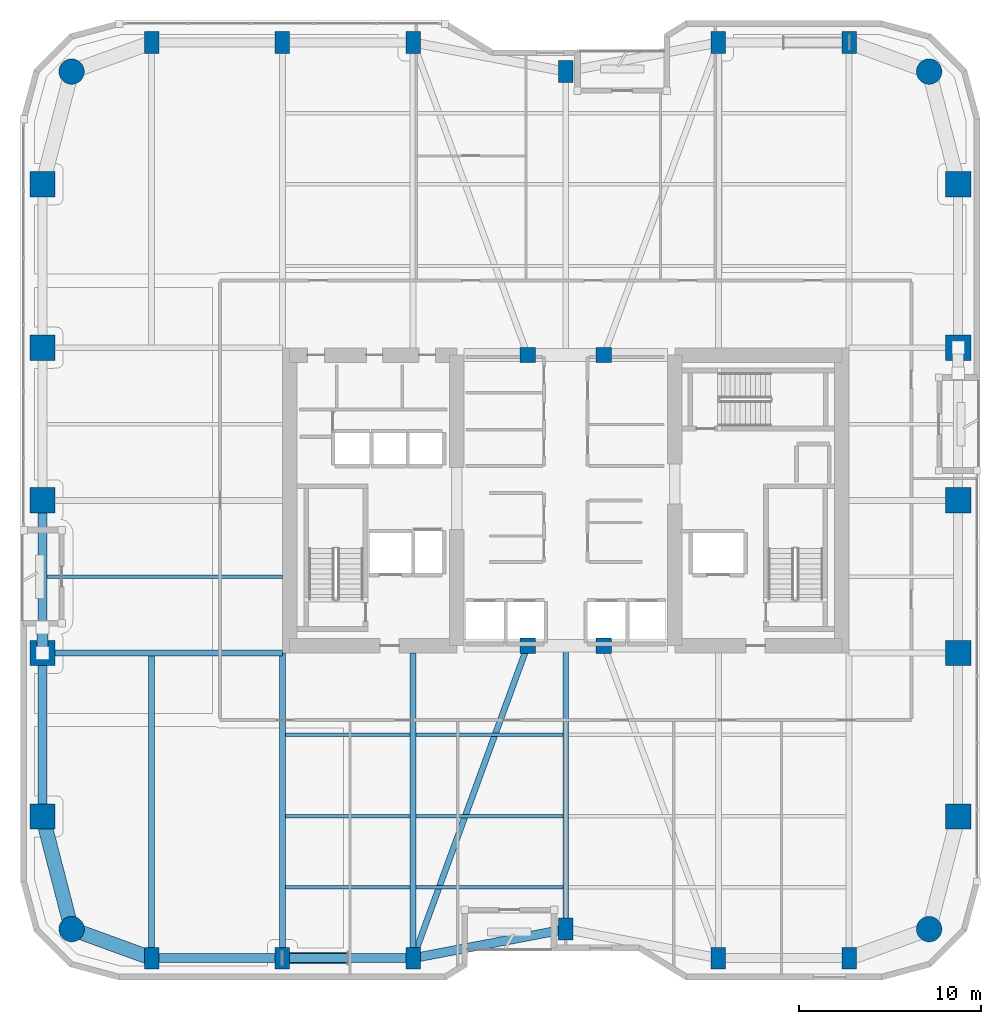
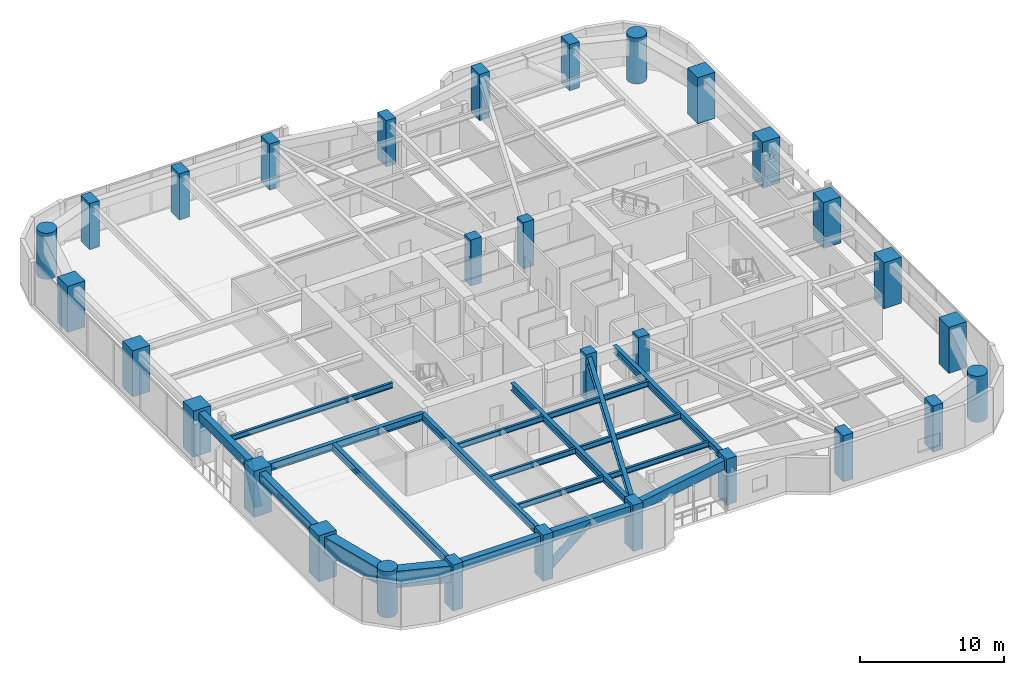
# One storey, part 1 of 24: 30 columns, 20 beams, 2 members.
"""IFC4 building model written with IfcOpenShell, lengths in metres."""

from ifc_helpers import new_model, si_unit, direction, frame, origin, origin_2d, place, context, subcontext, project, spatial, rectangle, circle, hollow_circle, i_section, extrude, material, material_profile, profile_set, type_object, element, save


model = new_model("IFC4")

# Units and contexts
model_context = context("Model", 3, precision=1e-05, world=origin(), true_north=direction((0.0, 1.0)))
body_context = subcontext(model_context, "Body", "Model", "MODEL_VIEW")
ifc_project = project(units=[si_unit("LENGTHUNIT", "METRE"), si_unit("AREAUNIT", "SQUARE_METRE"), si_unit("VOLUMEUNIT", "CUBIC_METRE"), si_unit("PLANEANGLEUNIT", "RADIAN"), si_unit("MASSUNIT", "GRAM", prefix="KILO")], contexts=[model_context])

# Site, building, storey
site_placement = place(None, origin())
site = spatial("IfcSite", under=ifc_project, at=site_placement, CompositionType="ELEMENT")
building_placement = place(site_placement, origin())
building = spatial("IfcBuilding", under=site, at=building_placement, Name="Kiyonajd Concourse Tower", CompositionType="ELEMENT")
storey_placement = place(building_placement, frame((0.0, 0.0, 97.5)))
storey = spatial("IfcBuildingStorey", under=building, at=storey_placement, Name="L25", CompositionType="ELEMENT", Elevation=97.5)

# Columns
ifc_material_1 = material(Name="Concrete C70/85", Category="concrete")
ifc_material_profile_1 = material_profile(ifc_material_1, rectangle(XDim=0.800048828125, YDim=1.199951171875, at=origin_2d()), Name="RC-1200x800")
ifc_profile_set_1 = profile_set([ifc_material_profile_1], Name="Concrete C70/85")
column_type_1 = type_object("IfcColumnType", Name="CL-BLADE-1200", PredefinedType="COLUMN", material=ifc_profile_set_1)
for number, where, z_axis, x_axis, name in (
    (1, (25.199951171875, 10.800048828125, 0.0), (0.0, 0.0, 1.0), (1.0, 0.0, 0.0), "L25 Perimeter Bundled Tube Column"),
    (2, (25.199951171875, 61.199951171875, 0.0), (0.0, 0.0, 1.0), (1.0, 0.0, 0.0), "L25 Perimeter Bundled Tube Column"),
    (3, (32.39990234375, 10.800048828125, 0.0), (0.0, 0.0, 1.0), (1.0, 0.0, 0.0), "L25 Perimeter Bundled Tube Column"),
    (4, (32.39990234375, 61.199951171875, 0.0), (0.0, 0.0, 1.0), (1.0, 0.0, 0.0), "L25 Perimeter Bundled Tube Column"),
    (5, (39.60009765625, 10.800048828125, 0.0), (0.0, 0.0, 1.0), (1.0, 0.0, 0.0), "L25 Perimeter Bundled Tube Column"),
    (6, (39.60009765625, 61.199951171875, 0.0), (0.0, 0.0, 1.0), (1.0, 0.0, 0.0), "L25 Perimeter Bundled Tube Column"),
    (7, (48.0, 12.39990234375, 0.0), (0.0, 0.0, 1.0), (1.0, 0.0, 0.0), "L25 Perimeter Bundled Tube Column"),
    (8, (48.0, 59.60009765625, 0.0), (0.0, 0.0, 1.0), (1.0, 0.0, 0.0), "L25 Perimeter Bundled Tube Column"),
    (9, (56.39990234375, 10.800048828125, 0.0), (0.0, 0.0, 1.0), (1.0, 0.0, 0.0), "L25 Perimeter Bundled Tube Column"),
    (10, (56.39990234375, 61.199951171875, 0.0), (0.0, 0.0, 1.0), (1.0, 0.0, 0.0), "L25 Perimeter Bundled Tube Column"),
    (11, (63.60009765625, 10.800048828125, 0.0), (0.0, 0.0, 1.0), (1.0, 0.0, 0.0), "L25 Perimeter Bundled Tube Column"),
    (12, (63.60009765625, 61.199951171875, 0.0), (0.0, 0.0, 1.0), (1.0, 0.0, 0.0), "L25 Perimeter Bundled Tube Column"),
):
    element("IfcColumn", number, at=place(storey_placement, frame(where, z_axis=z_axis, x_axis=x_axis)), inside=storey, type_object=column_type_1, Name=name, PredefinedType="COLUMN", context=body_context, shape_type="SweptSolid", body=[
        extrude(rectangle(XDim=0.800048828125, YDim=1.199951171875, at=origin_2d()), origin(), (0.0, 0.0, 1.0), 3.89990234375),
    ])
ifc_material_2 = material(Name="Concrete C80/95", Category="concrete")
ifc_material_profile_2 = material_profile(ifc_material_2, circle(Radius=0.699951171875, at=origin_2d()), Name="RCC-D1400")
ifc_profile_set_2 = profile_set([ifc_material_profile_2], Name="Concrete C80/95")
column_type_2 = type_object("IfcColumnType", Name="CL-RND-1400", PredefinedType="COLUMN", material=ifc_profile_set_2)
for number, where, z_axis, x_axis, name in (
    (13, (20.800048828125, 12.39990234375, 0.0), (0.0, 0.0, 1.0), (1.0, 0.0, 0.0), "L25 Bundled Tube Corner Column South West"),
    (14, (68.0, 12.39990234375, 0.0), (0.0, 0.0, 1.0), (1.0, 0.0, 0.0), "L25 Bundled Tube Corner Column South East"),
    (15, (68.0, 59.60009765625, 0.0), (0.0, 0.0, 1.0), (1.0, 0.0, 0.0), "L25 Bundled Tube Corner Column North East"),
    (16, (20.800048828125, 59.60009765625, 0.0), (0.0, 0.0, 1.0), (1.0, 0.0, 0.0), "L25 Bundled Tube Corner Column North West"),
):
    element("IfcColumn", number, at=place(storey_placement, frame(where, z_axis=z_axis, x_axis=x_axis)), inside=storey, type_object=column_type_2, Name=name, PredefinedType="COLUMN", context=body_context, shape_type="SweptSolid", body=[
        extrude(circle(Radius=0.699951171875, at=origin_2d()), origin(), (0.0, 0.0, 1.0), 3.89990234375),
    ])
ifc_material_profile_3 = material_profile(ifc_material_1, rectangle(XDim=1.39990234375, YDim=1.39990234375, at=origin_2d()), Name="RC-1400x1400")
ifc_profile_set_3 = profile_set([ifc_material_profile_3], Name="Concrete C70/85")
column_type_3 = type_object("IfcColumnType", Name="CL-TUBE-1400", PredefinedType="COLUMN", material=ifc_profile_set_3)
for number, where, z_axis, x_axis, name in (
    (17, (19.199951171875, 18.60009765625, 0.0), (0.0, 0.0, 1.0), (1.0, 0.0, 0.0), "L25 Perimeter Bundled Tube Column"),
    (18, (69.60009765625, 18.60009765625, 0.0), (0.0, 0.0, 1.0), (1.0, 0.0, 0.0), "L25 Perimeter Bundled Tube Column"),
    (19, (19.199951171875, 27.60009765625, 0.0), (0.0, 0.0, 1.0), (1.0, 0.0, 0.0), "L25 Perimeter Bundled Tube Column"),
    (20, (69.60009765625, 27.60009765625, 0.0), (0.0, 0.0, 1.0), (1.0, 0.0, 0.0), "L25 Perimeter Bundled Tube Column"),
    (21, (19.199951171875, 36.0, 0.0), (0.0, 0.0, 1.0), (1.0, 0.0, 0.0), "L25 Perimeter Bundled Tube Column"),
    (22, (69.60009765625, 36.0, 0.0), (0.0, 0.0, 1.0), (1.0, 0.0, 0.0), "L25 Perimeter Bundled Tube Column"),
    (23, (19.199951171875, 44.39990234375, 0.0), (0.0, 0.0, 1.0), (1.0, 0.0, 0.0), "L25 Perimeter Bundled Tube Column"),
    (24, (69.60009765625, 44.39990234375, 0.0), (0.0, 0.0, 1.0), (1.0, 0.0, 0.0), "L25 Perimeter Bundled Tube Column"),
    (25, (19.199951171875, 53.39990234375, 0.0), (0.0, 0.0, 1.0), (1.0, 0.0, 0.0), "L25 Perimeter Bundled Tube Column"),
    (26, (69.60009765625, 53.39990234375, 0.0), (0.0, 0.0, 1.0), (1.0, 0.0, 0.0), "L25 Perimeter Bundled Tube Column"),
):
    element("IfcColumn", number, at=place(storey_placement, frame(where, z_axis=z_axis, x_axis=x_axis)), inside=storey, type_object=column_type_3, Name=name, PredefinedType="COLUMN", context=body_context, shape_type="SweptSolid", body=[
        extrude(rectangle(XDim=1.39990234375, YDim=1.39990234375, at=origin_2d()), origin(), (0.0, 0.0, 1.0), 3.89990234375),
    ])
ifc_material_3 = material(Name="Concrete C60/75", Category="concrete")
ifc_material_profile_4 = material_profile(ifc_material_3, rectangle(XDim=0.85009765625, YDim=0.85009765625, at=origin_2d()), Name="RC-850x850")
ifc_profile_set_4 = profile_set([ifc_material_profile_4], Name="Concrete C60/75")
column_type_4 = type_object("IfcColumnType", Name="CL-TUBE-850", PredefinedType="COLUMN", material=ifc_profile_set_4)
for number, where, z_axis, x_axis, name in (
    (27, (45.89990234375, 28.0, 0.0), (0.0, 0.0, 1.0), (1.0, 0.0, 0.0), "L25 Core Tie Column South West"),
    (28, (50.10009765625, 28.0, 0.0), (0.0, 0.0, 1.0), (1.0, 0.0, 0.0), "L25 Core Tie Column South East"),
    (29, (45.89990234375, 44.0, 0.0), (0.0, 0.0, 1.0), (1.0, 0.0, 0.0), "L25 Core Tie Column North West"),
    (30, (50.10009765625, 44.0, 0.0), (0.0, 0.0, 1.0), (1.0, 0.0, 0.0), "L25 Core Tie Column North East"),
):
    element("IfcColumn", number, at=place(storey_placement, frame(where, z_axis=z_axis, x_axis=x_axis)), inside=storey, type_object=column_type_4, Name=name, PredefinedType="COLUMN", context=body_context, shape_type="SweptSolid", body=[
        extrude(rectangle(XDim=0.85009765625, YDim=0.85009765625, at=origin_2d()), origin(), (0.0, 0.0, 1.0), 3.89990234375),
    ])

# Beams
ifc_material_4 = material(Name="Steel ASTM A992 Grade 50", Category="steel")
ifc_material_profile_5 = material_profile(ifc_material_4, i_section(OverallWidth=0.19189453125, OverallDepth=0.462890625, WebThickness=0.010498046875, FlangeThickness=0.017578125, at=origin_2d()), Name="W460X89")
ifc_profile_set_5 = profile_set([ifc_material_profile_5], Name="Steel ASTM A992 Grade 50")
beam_type_1 = type_object("IfcBeamType", Name="BM-JST-460B", PredefinedType="JOIST", material=ifc_profile_set_5)
beam_1_placement = place(storey_placement, frame((32.5634765625, 14.699951171875, 3.408447265625), z_axis=(1.0, 0.0, 0.0), x_axis=(0.0, 1.0, 0.0)))
element("IfcBeam", 31, at=beam_1_placement, inside=storey, type_object=beam_type_1, Name="L25 Secondary Floor Joist", PredefinedType="JOIST", context=body_context, shape_type="SweptSolid", body=[
    extrude(i_section(OverallWidth=0.19189453125, OverallDepth=0.462890625, WebThickness=0.010498046875, FlangeThickness=0.017578125, at=origin_2d()), origin(), (0.0, 0.0, 1.0), 6.873046875),
])
beam_2_placement = place(storey_placement, frame((39.763427734375, 14.699951171875, 3.408447265625), z_axis=(1.0, 0.0, 0.0), x_axis=(0.0, 1.0, 0.0)))
element("IfcBeam", 32, at=beam_2_placement, inside=storey, type_object=beam_type_1, Name="L25 Secondary Floor Joist", PredefinedType="JOIST", context=body_context, shape_type="SweptSolid", body=[
    extrude(i_section(OverallWidth=0.19189453125, OverallDepth=0.462890625, WebThickness=0.010498046875, FlangeThickness=0.017578125, at=origin_2d()), origin(), (0.0, 0.0, 1.0), 8.072998046875),
])
beam_3_placement = place(storey_placement, frame((32.5634765625, 18.60009765625, 3.408447265625), z_axis=(1.0, 0.0, 0.0), x_axis=(0.0, 1.0, 0.0)))
element("IfcBeam", 33, at=beam_3_placement, inside=storey, type_object=beam_type_1, Name="L25 Secondary Floor Joist", PredefinedType="JOIST", context=body_context, shape_type="SweptSolid", body=[
    extrude(i_section(OverallWidth=0.19189453125, OverallDepth=0.462890625, WebThickness=0.010498046875, FlangeThickness=0.017578125, at=origin_2d()), origin(), (0.0, 0.0, 1.0), 6.873046875),
])
beam_4_placement = place(storey_placement, frame((39.763427734375, 18.60009765625, 3.408447265625), z_axis=(1.0, 0.0, 0.0), x_axis=(0.0, 1.0, 0.0)))
element("IfcBeam", 34, at=beam_4_placement, inside=storey, type_object=beam_type_1, Name="L25 Secondary Floor Joist", PredefinedType="JOIST", context=body_context, shape_type="SweptSolid", body=[
    extrude(i_section(OverallWidth=0.19189453125, OverallDepth=0.462890625, WebThickness=0.010498046875, FlangeThickness=0.017578125, at=origin_2d()), origin(), (0.0, 0.0, 1.0), 8.072998046875),
])
beam_5_placement = place(storey_placement, frame((32.5634765625, 23.10009765625, 3.408447265625), z_axis=(1.0, 0.0, 0.0), x_axis=(0.0, 1.0, 0.0)))
element("IfcBeam", 35, at=beam_5_placement, inside=storey, type_object=beam_type_1, Name="L25 Secondary Floor Joist", PredefinedType="JOIST", context=body_context, shape_type="SweptSolid", body=[
    extrude(i_section(OverallWidth=0.19189453125, OverallDepth=0.462890625, WebThickness=0.010498046875, FlangeThickness=0.017578125, at=origin_2d()), origin(), (0.0, 0.0, 1.0), 6.873046875),
])
beam_6_placement = place(storey_placement, frame((39.763427734375, 23.10009765625, 3.408447265625), z_axis=(1.0, 0.0, 0.0), x_axis=(0.0, 1.0, 0.0)))
element("IfcBeam", 36, at=beam_6_placement, inside=storey, type_object=beam_type_1, Name="L25 Secondary Floor Joist", PredefinedType="JOIST", context=body_context, shape_type="SweptSolid", body=[
    extrude(i_section(OverallWidth=0.19189453125, OverallDepth=0.462890625, WebThickness=0.010498046875, FlangeThickness=0.017578125, at=origin_2d()), origin(), (0.0, 0.0, 1.0), 8.072998046875),
])
beam_7_placement = place(storey_placement, frame((19.449951171875, 31.800048828125, 3.408447265625), z_axis=(1.0, 0.0, 0.0), x_axis=(0.0, 1.0, 0.0)))
element("IfcBeam", 37, at=beam_7_placement, inside=storey, type_object=beam_type_1, Name="L25 West Secondary Floor Joist", PredefinedType="JOIST", context=body_context, shape_type="SweptSolid", body=[
    extrude(i_section(OverallWidth=0.19189453125, OverallDepth=0.462890625, WebThickness=0.010498046875, FlangeThickness=0.017578125, at=origin_2d()), origin(), (0.0, 0.0, 1.0), 12.949951171875),
])
ifc_material_5 = material(Name="Precast concrete C50/60", Category="concrete")
ifc_material_profile_6 = material_profile(ifc_material_5, rectangle(XDim=0.5, YDim=0.75, at=origin_2d()), Name="RCBM-500x750")
ifc_profile_set_6 = profile_set([ifc_material_profile_6], Name="Precast concrete C50/60")
beam_type_2 = type_object("IfcBeamType", Name="BM-SPAN-RC", PredefinedType="SPANDREL", material=ifc_profile_set_6)
beam_8_placement = place(storey_placement, frame((19.199951171875, 27.60009765625, 3.264892578125), z_axis=(0.0, -1.0, 0.0), x_axis=(1.0, 0.0, 0.0)))
element("IfcBeam", 38, at=beam_8_placement, inside=storey, type_object=beam_type_2, Name="L25 Perimeter Bundled Tube Spandrel", PredefinedType="SPANDREL", context=body_context, shape_type="SweptSolid", body=[
    extrude(rectangle(XDim=0.5, YDim=0.75, at=origin_2d()), origin(), (0.0, 0.0, 1.0), 9.0),
])
beam_9_placement = place(storey_placement, frame((25.199951171875, 10.800048828125, 3.264892578125), z_axis=(1.0, 0.0, 0.0), x_axis=(0.0, 1.0, 0.0)))
element("IfcBeam", 39, at=beam_9_placement, inside=storey, type_object=beam_type_2, Name="L25 Perimeter Bundled Tube Spandrel", PredefinedType="SPANDREL", context=body_context, shape_type="SweptSolid", body=[
    extrude(rectangle(XDim=0.5, YDim=0.75, at=origin_2d()), origin(), (0.0, 0.0, 1.0), 7.199951171875),
])
beam_10_placement = place(storey_placement, frame((32.39990234375, 10.800048828125, 3.264892578125), z_axis=(1.0, 0.0, 0.0), x_axis=(0.0, 1.0, 0.0)))
element("IfcBeam", 40, at=beam_10_placement, inside=storey, type_object=beam_type_2, Name="L25 Perimeter Bundled Tube Spandrel", PredefinedType="SPANDREL", context=body_context, shape_type="SweptSolid", body=[
    extrude(rectangle(XDim=0.5, YDim=0.75, at=origin_2d()), origin(), (0.0, 0.0, 1.0), 7.2001953125),
])
beam_11_placement = place(storey_placement, frame((39.60009765625, 10.800048828125, 3.264892578125), z_axis=(0.982341315253, 0.187097675953, 0.0), x_axis=(-0.187097675953, 0.982341315253, 0.0)))
element("IfcBeam", 41, at=beam_11_placement, inside=storey, type_object=beam_type_2, Name="L25 Perimeter Bundled Tube Spandrel", PredefinedType="SPANDREL", context=body_context, shape_type="SweptSolid", body=[
    extrude(rectangle(XDim=0.5, YDim=0.75, at=origin_2d()), origin(), (0.0, 0.0, 1.0), 8.55078125),
])
beam_12_placement = place(storey_placement, frame((19.199951171875, 36.0, 3.264892578125), z_axis=(0.0, -1.0, 0.0), x_axis=(1.0, 0.0, 0.0)))
element("IfcBeam", 42, at=beam_12_placement, inside=storey, type_object=beam_type_2, Name="L25 Perimeter Bundled Tube Spandrel", PredefinedType="SPANDREL", context=body_context, shape_type="SweptSolid", body=[
    extrude(rectangle(XDim=0.5, YDim=0.75, at=origin_2d()), origin(), (0.0, 0.0, 1.0), 8.39990234375),
])
ifc_material_profile_7 = material_profile(ifc_material_4, i_section(OverallWidth=0.326904296875, OverallDepth=0.6220703125, WebThickness=0.015380859375, FlangeThickness=0.0244140625, at=origin_2d()), Name="W610X195")
ifc_profile_set_7 = profile_set([ifc_material_profile_7], Name="Steel ASTM A992 Grade 50")
beam_type_3 = type_object("IfcBeamType", Name="BM-TWR-610A", PredefinedType="BEAM", material=ifc_profile_set_7)
beam_13_placement = place(storey_placement, frame((39.60009765625, 10.800048828125, 3.3291015625), z_axis=(0.343925269715, 0.938997022813, 0.0), x_axis=(-0.938997022813, 0.343925269715, 0.0)))
element("IfcBeam", 43, at=beam_13_placement, inside=storey, type_object=beam_type_3, Name="L25 Core Tie Girder", PredefinedType="BEAM", context=body_context, shape_type="SweptSolid", body=[
    extrude(i_section(OverallWidth=0.326904296875, OverallDepth=0.6220703125, WebThickness=0.015380859375, FlangeThickness=0.0244140625, at=origin_2d()), origin(), (0.0, 0.0, 1.0), 18.3173828125),
])
for number, where, z_axis, x_axis, name in (
    (44, (25.199951171875, 10.800048828125, 3.3291015625), (0.0, 1.0, 0.0), (-1.0, 0.0, 0.0), "L25 South Lease Girder"),
    (45, (32.39990234375, 10.800048828125, 3.3291015625), (0.0, 1.0, 0.0), (-1.0, 0.0, 0.0), "L25 South Lease Girder"),
    (46, (39.60009765625, 10.800048828125, 3.3291015625), (0.0, 1.0, 0.0), (-1.0, 0.0, 0.0), "L25 South Lease Girder"),
):
    element("IfcBeam", number, at=place(storey_placement, frame(where, z_axis=z_axis, x_axis=x_axis)), inside=storey, type_object=beam_type_3, Name=name, PredefinedType="BEAM", context=body_context, shape_type="SweptSolid", body=[
        extrude(i_section(OverallWidth=0.326904296875, OverallDepth=0.6220703125, WebThickness=0.015380859375, FlangeThickness=0.0244140625, at=origin_2d()), origin(), (0.0, 0.0, 1.0), 16.800048828125),
    ])
beam_14_placement = place(storey_placement, frame((48.0, 12.39990234375, 3.3291015625), z_axis=(0.0, 1.0, 0.0), x_axis=(-1.0, 0.0, 0.0)))
element("IfcBeam", 47, at=beam_14_placement, inside=storey, type_object=beam_type_3, Name="L25 South Ribbon Girder", PredefinedType="BEAM", context=body_context, shape_type="SweptSolid", body=[
    extrude(i_section(OverallWidth=0.326904296875, OverallDepth=0.6220703125, WebThickness=0.015380859375, FlangeThickness=0.0244140625, at=origin_2d()), origin(), (0.0, 0.0, 1.0), 15.60009765625),
])
beam_15_placement = place(storey_placement, frame((19.199951171875, 27.60009765625, 3.3291015625), z_axis=(1.0, 0.0, 0.0), x_axis=(0.0, 1.0, 0.0)))
element("IfcBeam", 48, at=beam_15_placement, inside=storey, type_object=beam_type_3, Name="L25 West Lease Girder", PredefinedType="BEAM", context=body_context, shape_type="SweptSolid", body=[
    extrude(i_section(OverallWidth=0.326904296875, OverallDepth=0.6220703125, WebThickness=0.015380859375, FlangeThickness=0.0244140625, at=origin_2d()), origin(), (0.0, 0.0, 1.0), 13.199951171875),
])
ifc_material_profile_8 = material_profile(ifc_material_3, rectangle(XDim=0.800048828125, YDim=1.39990234375, at=origin_2d()), Name="RCBM-800x1400")
ifc_profile_set_8 = profile_set([ifc_material_profile_8], Name="Concrete C60/75")
beam_type_4 = type_object("IfcBeamType", Name="BM-XFER-RC", PredefinedType="BEAM", material=ifc_profile_set_8)
beam_16_placement = place(storey_placement, frame((19.199951171875, 18.60009765625, 2.93994140625), z_axis=(0.249884937687, -0.968275538221, 0.0), x_axis=(0.968275538221, 0.249884937687, 0.0)))
element("IfcBeam", 49, at=beam_16_placement, inside=storey, type_object=beam_type_4, Name="L25 Perimeter Bundled Tube Spandrel", PredefinedType="BEAM", context=body_context, shape_type="SweptSolid", body=[
    extrude(rectangle(XDim=0.800048828125, YDim=1.39990234375, at=origin_2d()), origin(), (0.0, 0.0, 1.0), 6.4033203125),
])
beam_17_placement = place(storey_placement, frame((20.800048828125, 12.39990234375, 2.93994140625), z_axis=(0.939801036019, -0.341722127901, 0.0), x_axis=(0.341722127901, 0.939801036019, 0.0)))
element("IfcBeam", 50, at=beam_17_placement, inside=storey, type_object=beam_type_4, Name="L25 Perimeter Bundled Tube Spandrel", PredefinedType="BEAM", context=body_context, shape_type="SweptSolid", body=[
    extrude(rectangle(XDim=0.800048828125, YDim=1.39990234375, at=origin_2d()), origin(), (0.0, 0.0, 1.0), 4.681640625),
])

# Members
ifc_material_6 = material(Name="Steel ASTM A572 Grade 50", Category="steel")
ifc_material_profile_9 = material_profile(ifc_material_6, hollow_circle(Radius=0.304931640625, WallThickness=0.02490234375, at=origin_2d()), Name="CHS-610x25")
ifc_profile_set_9 = profile_set([ifc_material_profile_9], Name="Steel ASTM A572 Grade 50")
member_type = type_object("IfcMemberType", Name="MB-PB-LOW", PredefinedType="BRACE", material=ifc_profile_set_9)
member_1_placement = place(storey_placement, frame((32.39990234375, 10.800048828125, 0.300048828125), z_axis=(0.769280705518, 0.0, 0.638910945373), x_axis=(0.0, 1.0, 0.0)))
element("IfcMember", 51, at=member_1_placement, inside=storey, type_object=member_type, Name="L25 Lower Zone Welded Tube Brace PBS", PredefinedType="BRACE", context=body_context, shape_type="SweptSolid", body=[
    extrude(hollow_circle(Radius=0.304931640625, WallThickness=0.02490234375, at=origin_2d()), origin(), (0.0, 0.0, 1.0), 4.679931640625),
])
member_2_placement = place(storey_placement, frame((19.199951171875, 27.60009765625, 0.300048828125), z_axis=(0.0, 0.424022702926, 0.905651559598), x_axis=(-1.0, 0.0, 0.0)))
element("IfcMember", 52, at=member_2_placement, inside=storey, type_object=member_type, Name="L25 Lower Zone Welded Tube Brace PBW", PredefinedType="BRACE", context=body_context, shape_type="SweptSolid", body=[
    extrude(hollow_circle(Radius=0.304931640625, WallThickness=0.02490234375, at=origin_2d()), origin(), (0.0, 0.0, 1.0), 3.301513671875),
])

save(model, "model.ifc")
